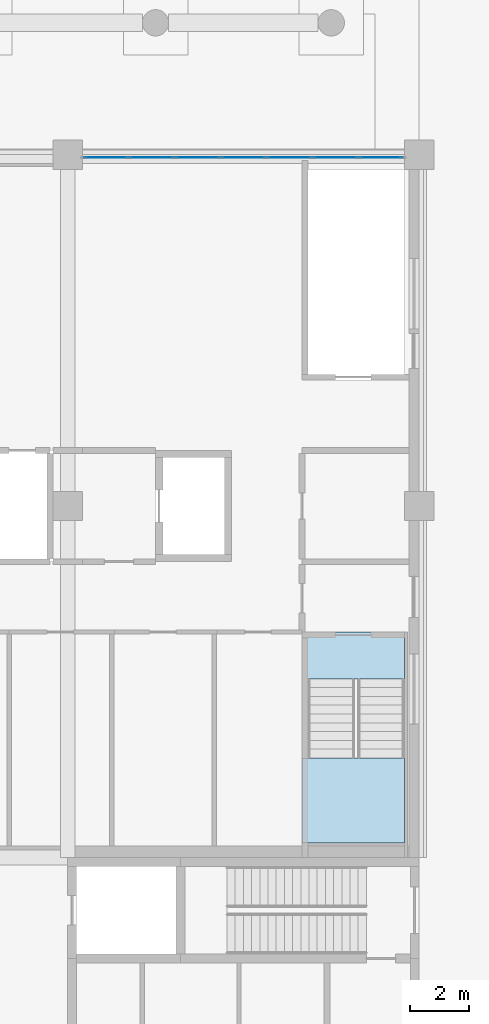
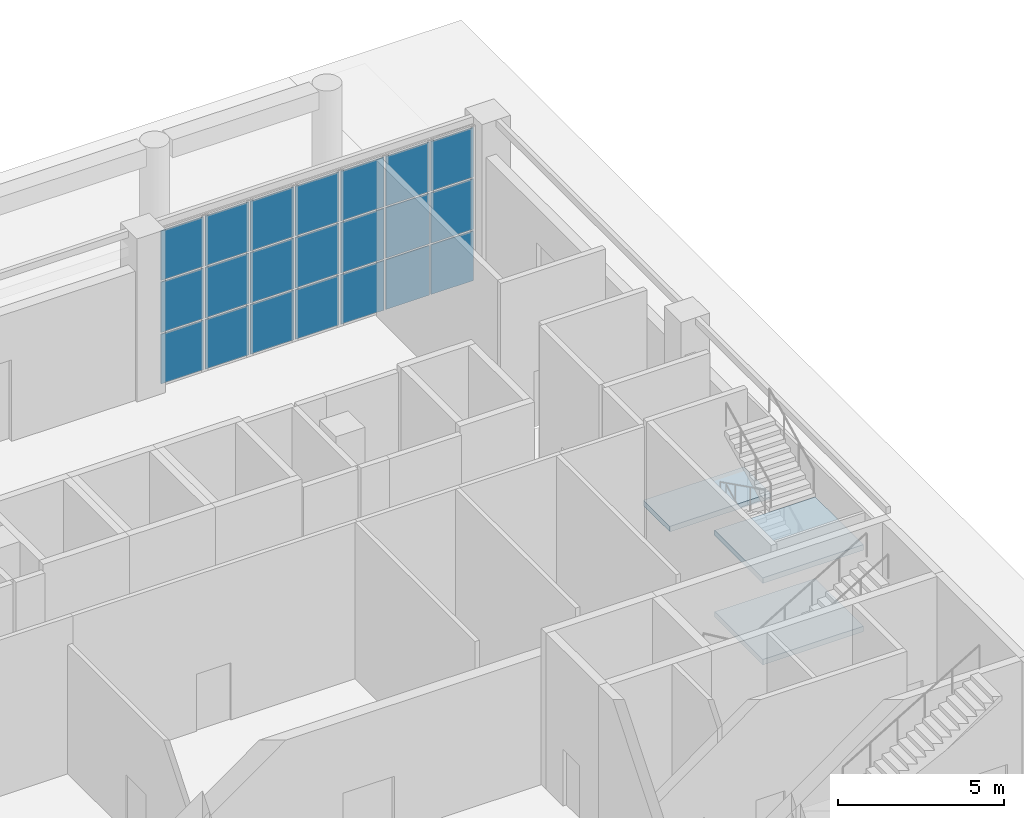
# One storey, part 30 of 59: 21 plates, 3 slabs, 2 elements without a shape of their own.
"""IFC4 building model written with IfcOpenShell, lengths in metres."""

from ifc_helpers import new_model, si_unit, direction, frame, origin, origin_2d, place, context, subcontext, project, spatial, polyline, rectangle, outline, extrude, material, layer, layer_set, type_object, element, aggregate, save


model = new_model("IFC4")

# Units and contexts
model_context = context("Model", 3, precision=1e-05, world=origin(), true_north=direction((0.0, 1.0)))
body_context = subcontext(model_context, "Body", "Model", "MODEL_VIEW")
ifc_project = project(units=[si_unit("LENGTHUNIT", "METRE"), si_unit("AREAUNIT", "SQUARE_METRE"), si_unit("VOLUMEUNIT", "CUBIC_METRE"), si_unit("PLANEANGLEUNIT", "RADIAN"), si_unit("MASSUNIT", "GRAM", prefix="KILO")], contexts=[model_context])

# Site, building, storey
site_placement = place(None, origin())
site = spatial("IfcSite", under=ifc_project, at=site_placement, CompositionType="ELEMENT")
building_placement = place(site_placement, origin())
building = spatial("IfcBuilding", under=site, at=building_placement, Name="Lilac Gate Convention Centre", CompositionType="ELEMENT")
storey_placement = place(building_placement, origin())
storey = spatial("IfcBuildingStorey", under=building, at=storey_placement, Name="L00", CompositionType="ELEMENT", Elevation=0.0)

# Curtain wall, plates
ifc_material_1 = material(Name="Aluminium framed double glazing", Category="aluminium")
ifc_layer_1 = layer(ifc_material_1, 0.199951171875)
ifc_layer_set_1 = layer_set([ifc_layer_1], Name="Aluminium framed double glazing")
curtain_wall_type = type_object("IfcCurtainWallType", Name="Unitised curtain wall 1500", PredefinedType="NOTDEFINED", material=ifc_layer_set_1)
curtain_wall_placement = place(storey_placement, origin())
curtain_wall = element("IfcCurtainWall", 1, at=curtain_wall_placement, inside=storey, type_object=curtain_wall_type, Name="Curtain wall N L00 1", PredefinedType="NOTDEFINED")
ifc_material_2 = material(Name="Double glazed unit low emissivity")
ifc_layer_2 = layer(ifc_material_2, 0.028076171875)
ifc_layer_set_2 = layer_set([ifc_layer_2], Name="Double glazed unit low emissivity")
plate_type_1 = type_object("IfcPlateType", Name="Curtain wall glass panel 28", PredefinedType="CURTAIN_PANEL", material=ifc_layer_set_2)
plate_1_placement = place(storey_placement, frame((88.69921875, 245.89990234375, 1.94677734375), z_axis=(0.0, 0.0, 1.0), x_axis=(-1.0, 0.0, 0.0)))
plate_1 = element("IfcPlate", 2, at=plate_1_placement, type_object=plate_type_1, Name="CW panel 1.2", PredefinedType="CURTAIN_PANEL", context=body_context, shape_type="SweptSolid", body=[
    extrude(rectangle(XDim=1.4814453125, YDim=0.028076171875, at=origin_2d()), origin(), (0.0, 0.0, 1.0), 1.856689453125),
])
plate_2_placement = place(storey_placement, frame((88.69921875, 245.89990234375, 3.86328125), z_axis=(0.0, 0.0, 1.0), x_axis=(-1.0, 0.0, 0.0)))
plate_2 = element("IfcPlate", 3, at=plate_2_placement, type_object=plate_type_1, Name="CW panel 1.3", PredefinedType="CURTAIN_PANEL", context=body_context, shape_type="SweptSolid", body=[
    extrude(rectangle(XDim=1.4814453125, YDim=0.028076171875, at=origin_2d()), origin(), (0.0, 0.0, 1.0), 1.82666015625),
])
plate_3_placement = place(storey_placement, frame((87.142822265625, 245.89990234375, 1.94677734375), z_axis=(0.0, 0.0, 1.0), x_axis=(-1.0, 0.0, 0.0)))
plate_3 = element("IfcPlate", 4, at=plate_3_placement, type_object=plate_type_1, Name="CW panel 2.2", PredefinedType="CURTAIN_PANEL", context=body_context, shape_type="SweptSolid", body=[
    extrude(rectangle(XDim=1.511474609375, YDim=0.028076171875, at=origin_2d()), origin(), (0.0, 0.0, 1.0), 1.856689453125),
])
plate_4_placement = place(storey_placement, frame((87.142822265625, 245.89990234375, 3.86328125), z_axis=(0.0, 0.0, 1.0), x_axis=(-1.0, 0.0, 0.0)))
plate_4 = element("IfcPlate", 5, at=plate_4_placement, type_object=plate_type_1, Name="CW panel 2.3", PredefinedType="CURTAIN_PANEL", context=body_context, shape_type="SweptSolid", body=[
    extrude(rectangle(XDim=1.511474609375, YDim=0.028076171875, at=origin_2d()), origin(), (0.0, 0.0, 1.0), 1.82666015625),
])
plate_5_placement = place(storey_placement, frame((85.571533203125, 245.89990234375, 1.94677734375), z_axis=(0.0, 0.0, 1.0), x_axis=(-1.0, 0.0, 0.0)))
plate_5 = element("IfcPlate", 6, at=plate_5_placement, type_object=plate_type_1, Name="CW panel 3.2", PredefinedType="CURTAIN_PANEL", context=body_context, shape_type="SweptSolid", body=[
    extrude(rectangle(XDim=1.511474609375, YDim=0.028076171875, at=origin_2d()), origin(), (0.0, 0.0, 1.0), 1.856689453125),
])
plate_6_placement = place(storey_placement, frame((85.571533203125, 245.89990234375, 3.86328125), z_axis=(0.0, 0.0, 1.0), x_axis=(-1.0, 0.0, 0.0)))
plate_6 = element("IfcPlate", 7, at=plate_6_placement, type_object=plate_type_1, Name="CW panel 3.3", PredefinedType="CURTAIN_PANEL", context=body_context, shape_type="SweptSolid", body=[
    extrude(rectangle(XDim=1.511474609375, YDim=0.028076171875, at=origin_2d()), origin(), (0.0, 0.0, 1.0), 1.82666015625),
])
plate_7_placement = place(storey_placement, frame((84.0, 245.89990234375, 1.94677734375), z_axis=(0.0, 0.0, 1.0), x_axis=(-1.0, 0.0, 0.0)))
plate_7 = element("IfcPlate", 8, at=plate_7_placement, type_object=plate_type_1, Name="CW panel 4.2", PredefinedType="CURTAIN_PANEL", context=body_context, shape_type="SweptSolid", body=[
    extrude(rectangle(XDim=1.511474609375, YDim=0.028076171875, at=origin_2d()), origin(), (0.0, 0.0, 1.0), 1.856689453125),
])
plate_8_placement = place(storey_placement, frame((84.0, 245.89990234375, 3.86328125), z_axis=(0.0, 0.0, 1.0), x_axis=(-1.0, 0.0, 0.0)))
plate_8 = element("IfcPlate", 9, at=plate_8_placement, type_object=plate_type_1, Name="CW panel 4.3", PredefinedType="CURTAIN_PANEL", context=body_context, shape_type="SweptSolid", body=[
    extrude(rectangle(XDim=1.511474609375, YDim=0.028076171875, at=origin_2d()), origin(), (0.0, 0.0, 1.0), 1.82666015625),
])
plate_9_placement = place(storey_placement, frame((82.428466796875, 245.89990234375, 1.94677734375), z_axis=(0.0, 0.0, 1.0), x_axis=(-1.0, 0.0, 0.0)))
plate_9 = element("IfcPlate", 10, at=plate_9_placement, type_object=plate_type_1, Name="CW panel 5.2", PredefinedType="CURTAIN_PANEL", context=body_context, shape_type="SweptSolid", body=[
    extrude(rectangle(XDim=1.511474609375, YDim=0.028076171875, at=origin_2d()), origin(), (0.0, 0.0, 1.0), 1.856689453125),
])
plate_10_placement = place(storey_placement, frame((82.428466796875, 245.89990234375, 3.86328125), z_axis=(0.0, 0.0, 1.0), x_axis=(-1.0, 0.0, 0.0)))
plate_10 = element("IfcPlate", 11, at=plate_10_placement, type_object=plate_type_1, Name="CW panel 5.3", PredefinedType="CURTAIN_PANEL", context=body_context, shape_type="SweptSolid", body=[
    extrude(rectangle(XDim=1.511474609375, YDim=0.028076171875, at=origin_2d()), origin(), (0.0, 0.0, 1.0), 1.82666015625),
])
plate_11_placement = place(storey_placement, frame((80.857177734375, 245.89990234375, 1.94677734375), z_axis=(0.0, 0.0, 1.0), x_axis=(-1.0, 0.0, 0.0)))
plate_11 = element("IfcPlate", 12, at=plate_11_placement, type_object=plate_type_1, Name="CW panel 6.2", PredefinedType="CURTAIN_PANEL", context=body_context, shape_type="SweptSolid", body=[
    extrude(rectangle(XDim=1.511474609375, YDim=0.028076171875, at=origin_2d()), origin(), (0.0, 0.0, 1.0), 1.856689453125),
])
plate_12_placement = place(storey_placement, frame((80.857177734375, 245.89990234375, 3.86328125), z_axis=(0.0, 0.0, 1.0), x_axis=(-1.0, 0.0, 0.0)))
plate_12 = element("IfcPlate", 13, at=plate_12_placement, type_object=plate_type_1, Name="CW panel 6.3", PredefinedType="CURTAIN_PANEL", context=body_context, shape_type="SweptSolid", body=[
    extrude(rectangle(XDim=1.511474609375, YDim=0.028076171875, at=origin_2d()), origin(), (0.0, 0.0, 1.0), 1.82666015625),
])
plate_13_placement = place(storey_placement, frame((79.30078125, 245.89990234375, 1.94677734375), z_axis=(0.0, 0.0, 1.0), x_axis=(-1.0, 0.0, 0.0)))
plate_13 = element("IfcPlate", 14, at=plate_13_placement, type_object=plate_type_1, Name="CW panel 7.2", PredefinedType="CURTAIN_PANEL", context=body_context, shape_type="SweptSolid", body=[
    extrude(rectangle(XDim=1.4814453125, YDim=0.028076171875, at=origin_2d()), origin(), (0.0, 0.0, 1.0), 1.856689453125),
])
plate_14_placement = place(storey_placement, frame((79.30078125, 245.89990234375, 3.86328125), z_axis=(0.0, 0.0, 1.0), x_axis=(-1.0, 0.0, 0.0)))
plate_14 = element("IfcPlate", 15, at=plate_14_placement, type_object=plate_type_1, Name="CW panel 7.3", PredefinedType="CURTAIN_PANEL", context=body_context, shape_type="SweptSolid", body=[
    extrude(rectangle(XDim=1.4814453125, YDim=0.028076171875, at=origin_2d()), origin(), (0.0, 0.0, 1.0), 1.82666015625),
])
ifc_material_3 = material(Name="Insulated aluminium spandrel panel", Category="aluminium")
ifc_layer_3 = layer(ifc_material_3, 0.028076171875)
ifc_layer_set_3 = layer_set([ifc_layer_3], Name="Insulated aluminium spandrel panel")
plate_type_2 = type_object("IfcPlateType", Name="Curtain wall spandrel panel 28", PredefinedType="CURTAIN_PANEL", material=ifc_layer_set_3)
plate_15_placement = place(storey_placement, frame((88.69921875, 245.89990234375, 0.06005859375), z_axis=(0.0, 0.0, 1.0), x_axis=(-1.0, 0.0, 0.0)))
plate_15 = element("IfcPlate", 16, at=plate_15_placement, type_object=plate_type_2, Name="CW spandrel 1.1", PredefinedType="CURTAIN_PANEL", context=body_context, shape_type="SweptSolid", body=[
    extrude(rectangle(XDim=1.4814453125, YDim=0.028076171875, at=origin_2d()), origin(), (0.0, 0.0, 1.0), 1.82666015625),
])
plate_16_placement = place(storey_placement, frame((87.142822265625, 245.89990234375, 0.06005859375), z_axis=(0.0, 0.0, 1.0), x_axis=(-1.0, 0.0, 0.0)))
plate_16 = element("IfcPlate", 17, at=plate_16_placement, type_object=plate_type_2, Name="CW spandrel 2.1", PredefinedType="CURTAIN_PANEL", context=body_context, shape_type="SweptSolid", body=[
    extrude(rectangle(XDim=1.511474609375, YDim=0.028076171875, at=origin_2d()), origin(), (0.0, 0.0, 1.0), 1.82666015625),
])
plate_17_placement = place(storey_placement, frame((85.571533203125, 245.89990234375, 0.06005859375), z_axis=(0.0, 0.0, 1.0), x_axis=(-1.0, 0.0, 0.0)))
plate_17 = element("IfcPlate", 18, at=plate_17_placement, type_object=plate_type_2, Name="CW spandrel 3.1", PredefinedType="CURTAIN_PANEL", context=body_context, shape_type="SweptSolid", body=[
    extrude(rectangle(XDim=1.511474609375, YDim=0.028076171875, at=origin_2d()), origin(), (0.0, 0.0, 1.0), 1.82666015625),
])
plate_18_placement = place(storey_placement, frame((84.0, 245.89990234375, 0.06005859375), z_axis=(0.0, 0.0, 1.0), x_axis=(-1.0, 0.0, 0.0)))
plate_18 = element("IfcPlate", 19, at=plate_18_placement, type_object=plate_type_2, Name="CW spandrel 4.1", PredefinedType="CURTAIN_PANEL", context=body_context, shape_type="SweptSolid", body=[
    extrude(rectangle(XDim=1.511474609375, YDim=0.028076171875, at=origin_2d()), origin(), (0.0, 0.0, 1.0), 1.82666015625),
])
plate_19_placement = place(storey_placement, frame((82.428466796875, 245.89990234375, 0.06005859375), z_axis=(0.0, 0.0, 1.0), x_axis=(-1.0, 0.0, 0.0)))
plate_19 = element("IfcPlate", 20, at=plate_19_placement, type_object=plate_type_2, Name="CW spandrel 5.1", PredefinedType="CURTAIN_PANEL", context=body_context, shape_type="SweptSolid", body=[
    extrude(rectangle(XDim=1.511474609375, YDim=0.028076171875, at=origin_2d()), origin(), (0.0, 0.0, 1.0), 1.82666015625),
])
plate_20_placement = place(storey_placement, frame((80.857177734375, 245.89990234375, 0.06005859375), z_axis=(0.0, 0.0, 1.0), x_axis=(-1.0, 0.0, 0.0)))
plate_20 = element("IfcPlate", 21, at=plate_20_placement, type_object=plate_type_2, Name="CW spandrel 6.1", PredefinedType="CURTAIN_PANEL", context=body_context, shape_type="SweptSolid", body=[
    extrude(rectangle(XDim=1.511474609375, YDim=0.028076171875, at=origin_2d()), origin(), (0.0, 0.0, 1.0), 1.82666015625),
])
plate_21_placement = place(storey_placement, frame((79.30078125, 245.89990234375, 0.06005859375), z_axis=(0.0, 0.0, 1.0), x_axis=(-1.0, 0.0, 0.0)))
plate_21 = element("IfcPlate", 22, at=plate_21_placement, type_object=plate_type_2, Name="CW spandrel 7.1", PredefinedType="CURTAIN_PANEL", context=body_context, shape_type="SweptSolid", body=[
    extrude(rectangle(XDim=1.4814453125, YDim=0.028076171875, at=origin_2d()), origin(), (0.0, 0.0, 1.0), 1.82666015625),
])
aggregate(curtain_wall, [plate_15, plate_1, plate_2, plate_16, plate_3, plate_4, plate_17, plate_5, plate_6, plate_18, plate_7, plate_8, plate_19, plate_9, plate_10, plate_20, plate_11, plate_12, plate_21, plate_13, plate_14])

# Stair, slabs
ifc_material_4 = material(Name="Concrete C40", Category="concrete")
stair_type = type_object("IfcStairType", Name="Exit stair", PredefinedType="DOUBLE_RETURN_STAIR", material=ifc_material_4)
stair_placement = place(storey_placement, origin())
stair = element("IfcStair", 23, at=stair_placement, inside=storey, type_object=stair_type, Name="Exit stair SE L00", PredefinedType="DOUBLE_RETURN_STAIR")
ifc_layer_4 = layer(ifc_material_4, 0.199951171875)
ifc_layer_set_4 = layer_set([ifc_layer_4], Name="Concrete C40")
slab_type = type_object("IfcSlabType", Name="Exit stair landing", PredefinedType="LANDING", material=ifc_layer_set_4)
slab_1_placement = place(storey_placement, frame((0.0, 0.0, 1.300048828125)))
slab_1 = element("IfcSlab", 24, at=slab_1_placement, type_object=slab_type, Name="ST-SE landing 1", PredefinedType="LANDING", context=body_context, shape_type="SweptSolid", body=[
    extrude(outline(polyline([(86.0, 222.5), (89.5, 222.5), (89.5, 225.39990234375), (86.0, 225.39990234375), (86.0, 222.5)])), origin(), (0.0, 0.0, 1.0), 0.199951171875),
])
slab_2_placement = place(storey_placement, frame((0.0, 0.0, 2.800048828125)))
slab_2 = element("IfcSlab", 25, at=slab_2_placement, type_object=slab_type, Name="ST-SE landing 2", PredefinedType="LANDING", context=body_context, shape_type="SweptSolid", body=[
    extrude(outline(polyline([(86.0, 228.10009765625), (89.5, 228.10009765625), (89.5, 229.699951171875), (86.0, 229.699951171875), (86.0, 228.10009765625)])), origin(), (0.0, 0.0, 1.0), 0.199951171875),
])
slab_3_placement = place(storey_placement, frame((0.0, 0.0, 4.300048828125)))
slab_3 = element("IfcSlab", 26, at=slab_3_placement, type_object=slab_type, Name="ST-SE landing 3", PredefinedType="LANDING", context=body_context, shape_type="SweptSolid", body=[
    extrude(outline(polyline([(86.0, 222.5), (89.5, 222.5), (89.5, 225.39990234375), (86.0, 225.39990234375), (86.0, 222.5)])), origin(), (0.0, 0.0, 1.0), 0.199951171875),
])
aggregate(stair, [slab_1, slab_2, slab_3])

save(model, "model.ifc")
